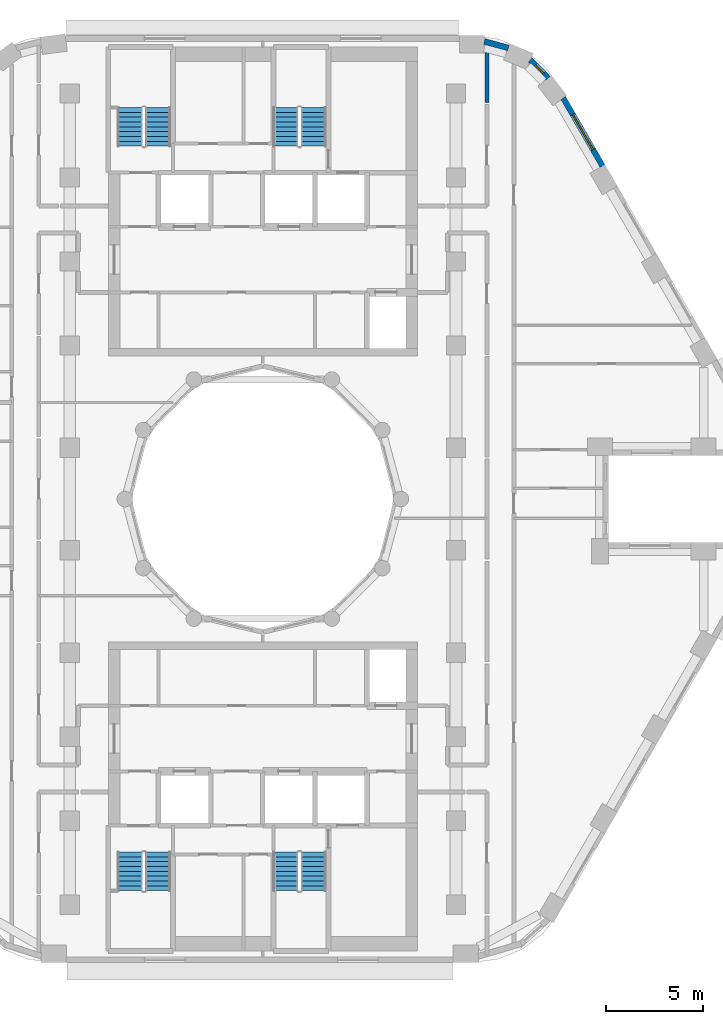
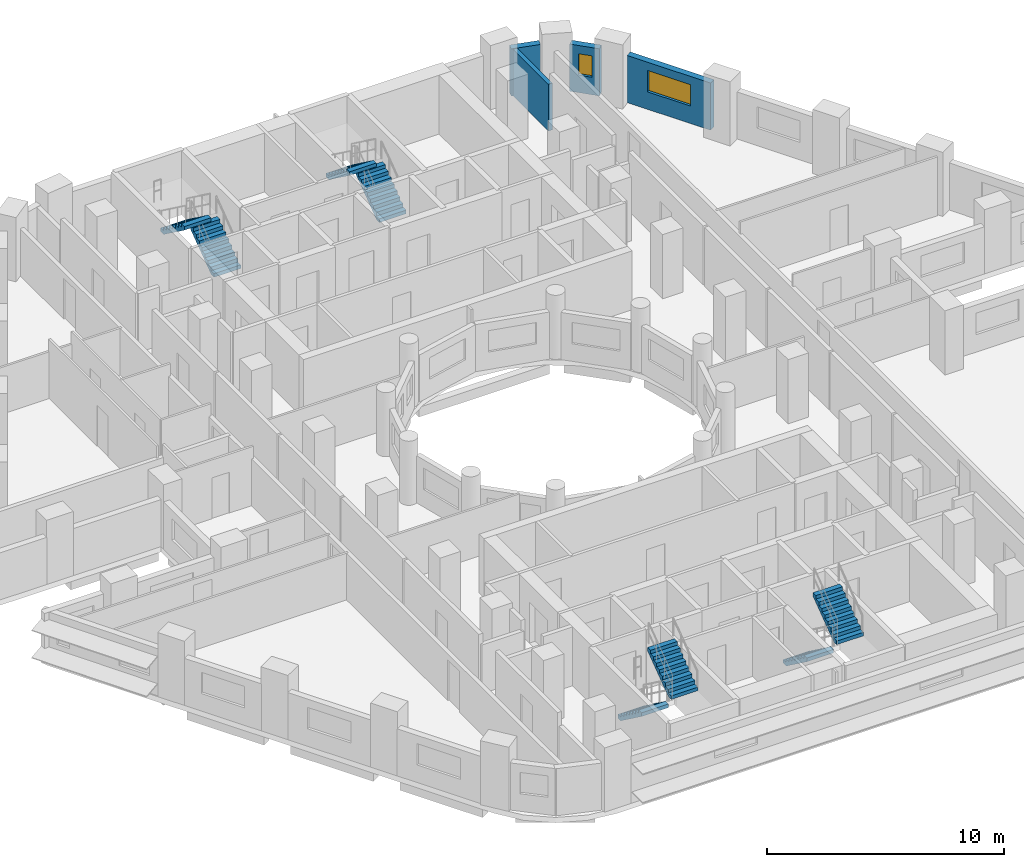
# One storey, part 9 of 13: 8 stair flights, 4 walls, 2 windows, 2 openings, 4 elements without a shape of their own.
"""IFC4 building model written with IfcOpenShell, lengths in metres."""

from ifc_helpers import new_model, si_unit, direction, frame, frame_2d, origin, place, context, subcontext, project, spatial, polyline, rectangle, outline, extrude, material, layer, layer_set, type_object, element, fill, aggregate, save


model = new_model("IFC4")

# Units and contexts
model_context = context("Model", 3, precision=1e-05, world=origin(), true_north=direction((0.0, 1.0)))
body_context = subcontext(model_context, "Body", "Model", "MODEL_VIEW")
ifc_project = project(units=[si_unit("LENGTHUNIT", "METRE"), si_unit("AREAUNIT", "SQUARE_METRE"), si_unit("VOLUMEUNIT", "CUBIC_METRE"), si_unit("PLANEANGLEUNIT", "RADIAN"), si_unit("MASSUNIT", "GRAM", prefix="KILO")], contexts=[model_context])

# Site, building, storey
site_placement = place(None, origin())
site = spatial("IfcSite", under=ifc_project, at=site_placement, CompositionType="ELEMENT")
building_placement = place(site_placement, origin())
building = spatial("IfcBuilding", under=site, at=building_placement, Name="Nakaniwa Court", CompositionType="ELEMENT")
storey_placement = place(building_placement, frame((0.0, 0.0, 156.89990234375)))
storey = spatial("IfcBuildingStorey", under=building, at=storey_placement, Name="L41", CompositionType="ELEMENT", Elevation=156.89990234375)

# Wall
ifc_material_1 = material(Name="Acoustic double stud partition")
ifc_layer_1 = layer(ifc_material_1, 0.199951171875)
ifc_layer_set_1 = layer_set([ifc_layer_1], Name="Acoustic double stud partition")
wall_type_1 = type_object("IfcWallType", Name="Acoustic double stud partition 200", PredefinedType="PARTITIONING", material=ifc_layer_set_1)
wall_1_placement = place(storey_placement, frame((91.60009765625, 100.537109375, 0.0), z_axis=(0.0, 0.0, 1.0), x_axis=(0.0, 1.0, 0.0)))
element("IfcWall", 1, at=wall_1_placement, inside=storey, type_object=wall_type_1, Name="Partition PW-075", PredefinedType="PARTITIONING", context=body_context, shape_type="SweptSolid", body=[
    extrude(rectangle(XDim=3.06201171875, YDim=0.199951171875, at=frame_2d((1.531005859375, 0.0))), origin(), (0.0, 0.0, 1.0), 2.405029296875),
])

# Wall, opening, window
ifc_material_2 = material(Name="Charcoal ceramic cladding")
ifc_layer_2 = layer(ifc_material_2, 0.02, Name="Ceramic cladding")
ifc_material_3 = material(Name="Ventilated air cavity")
ifc_layer_3 = layer(ifc_material_3, 0.04, ventilated=True, Name="Ventilated cavity")
ifc_material_4 = material(Name="Mineral wool insulation")
ifc_layer_4 = layer(ifc_material_4, 0.1, Name="Insulation")
ifc_material_5 = material(Name="Cement bonded sheathing board")
ifc_layer_5 = layer(ifc_material_5, 0.012, Name="Sheathing")
ifc_material_6 = material(Name="Cold-formed galvanised stud frame with mineral wool infill")
ifc_layer_6 = layer(ifc_material_6, 0.1, Name="Stud frame")
ifc_material_7 = material(Name="Fire-rated gypsum plasterboard lining")
ifc_layer_7 = layer(ifc_material_7, 0.028, Name="Lining")
ifc_layer_set_2 = layer_set([ifc_layer_2, ifc_layer_3, ifc_layer_4, ifc_layer_5, ifc_layer_6, ifc_layer_7], Name="Charcoal ceramic faced external wall system")
wall_type_2 = type_object("IfcWallType", Name="Black ceramic faced external wall 300", PredefinedType="SOLIDWALL", material=ifc_layer_set_2)
wall_2_placement = place(storey_placement, frame((97.582275390625, 97.24658203125, 0.0), z_axis=(0.0, 0.0, 1.0), x_axis=(-0.500018589245, 0.866014671013, 0.0)))
wall_2 = element("IfcWall", 2, at=wall_2_placement, inside=storey, type_object=wall_type_2, Name="L41 external wall 05", PredefinedType="SOLIDWALL", context=body_context, shape_type="SweptSolid", body=[
    extrude(rectangle(XDim=4.067626953125, YDim=0.300048828125, at=frame_2d((2.03369140625, 0.0))), origin(), (0.0, 0.0, 1.0), 2.425048828125),
])
opening_1_placement = place(wall_2_placement, frame((0.97265625, 0.0, 0.89990234375)))
opening_1 = element("IfcOpeningElement", 3, at=opening_1_placement, cuts=wall_2, Name="Opening W7.06", PredefinedType="OPENING", context=body_context, shape_type="SweptSolid", body=[
    extrude(rectangle(XDim=2.10009765625, YDim=1.10009765625, at=frame_2d((1.050048828125, 0.550048828125))), frame((0.0, 0.159912109375, 0.0), z_axis=(0.0, -1.0, 0.0), x_axis=(1.0, 0.0, 0.0)), (0.0, 0.0, 1.0), 0.320068359375),
])
ifc_material_8 = material(Name="Black anodised aluminium frame with dark low-E laminated double glazing", Category="aluminium")
window_type_1 = type_object("IfcWindowType", Name="Dark glass window 2100x1100 sill 900", PartitioningType="SINGLE_PANEL", PredefinedType="WINDOW", material=ifc_material_8)
window_1_placement = place(opening_1_placement, origin())
window_1 = element("IfcWindow", 4, at=window_1_placement, inside=storey, type_object=window_type_1, Name="L41 habitable room window 05-0", OverallHeight=1.10009765625, OverallWidth=2.10009765625, PartitioningType="SINGLE_PANEL", PredefinedType="WINDOW", context=body_context, shape_type="SweptSolid", body=[
    extrude(rectangle(XDim=2.10009765625, YDim=1.10009765625, at=frame_2d((1.050048828125, 0.550048828125))), frame((0.0, 0.030029296875, 0.0), z_axis=(0.0, -1.0, 0.0), x_axis=(1.0, 0.0, 0.0)), (0.0, 0.0, 1.0), 0.06005859375),
])
fill(opening_1, window_1)

wall_3_placement = place(storey_placement, frame((94.76318359375, 101.79541015625, 0.0), z_axis=(0.0, 0.0, 1.0), x_axis=(-0.697598997785, 0.716488407645, 0.0)))
wall_3 = element("IfcWall", 5, at=wall_3_placement, inside=storey, type_object=wall_type_2, Name="L41 external wall 06", PredefinedType="SOLIDWALL", context=body_context, shape_type="SweptSolid", body=[
    extrude(rectangle(XDim=1.305419921875, YDim=0.300048828125, at=frame_2d((0.65283203125, 0.0))), origin(), (0.0, 0.0, 1.0), 2.425048828125),
])
opening_2_placement = place(wall_3_placement, frame((0.328125, 0.0, 0.89990234375)))
opening_2 = element("IfcOpeningElement", 6, at=opening_2_placement, cuts=wall_3, Name="Opening W8.07", PredefinedType="OPENING", context=body_context, shape_type="SweptSolid", body=[
    extrude(rectangle(XDim=0.60009765625, YDim=1.10009765625, at=frame_2d((0.300048828125, 0.550048828125))), frame((0.0, 0.159912109375, 0.0), z_axis=(0.0, -1.0, 0.0), x_axis=(1.0, 0.0, 0.0)), (0.0, 0.0, 1.0), 0.320068359375),
])
window_type_2 = type_object("IfcWindowType", Name="Dark glass window 600x1100 sill 900", PartitioningType="SINGLE_PANEL", PredefinedType="WINDOW", material=ifc_material_8)
window_2_placement = place(opening_2_placement, origin())
window_2 = element("IfcWindow", 7, at=window_2_placement, inside=storey, type_object=window_type_2, Name="L41 habitable room window 06-0", OverallHeight=1.10009765625, OverallWidth=0.60009765625, PartitioningType="SINGLE_PANEL", PredefinedType="WINDOW", context=body_context, shape_type="SweptSolid", body=[
    extrude(rectangle(XDim=0.60009765625, YDim=1.10009765625, at=frame_2d((0.300048828125, 0.550048828125))), frame((0.0, 0.030029296875, 0.0), z_axis=(0.0, -1.0, 0.0), x_axis=(1.0, 0.0, 0.0)), (0.0, 0.0, 1.0), 0.06005859375),
])
fill(opening_2, window_2)

# Wall
wall_4_placement = place(storey_placement, frame((92.712890625, 103.3564453125, 0.0), z_axis=(0.0, 0.0, 1.0), x_axis=(-0.965274225809, 0.26123872031, 0.0)))
element("IfcWall", 8, at=wall_4_placement, inside=storey, type_object=wall_type_2, Name="L41 external wall 07", PredefinedType="SOLIDWALL", context=body_context, shape_type="SweptSolid", body=[
    extrude(rectangle(XDim=1.286865234375, YDim=0.300048828125, at=frame_2d((0.6435546875, 0.0))), origin(), (0.0, 0.0, 1.0), 2.425048828125),
])

# Stair, stair flights
ifc_material_9 = material(Name="Concrete C80/100", Category="concrete")
stair_type = type_object("IfcStairType", Name="Dog leg stair 1300 wide 18 risers", PredefinedType="HALF_TURN_STAIR", material=ifc_material_9)
stair_1_placement = place(storey_placement, origin())
stair_1 = element("IfcStair", 9, at=stair_1_placement, inside=storey, type_object=stair_type, Name="L41 Stair ST1", PredefinedType="HALF_TURN_STAIR")
stair_flight_type = type_object("IfcStairFlightType", Name="Stair flight 1300 wide 9 risers", PredefinedType="STRAIGHT", material=ifc_material_9)
stair_flight_1_placement = place(storey_placement, frame((74.574951171875, 98.27490234375, 0.0), z_axis=(0.0, 0.0, 1.0), x_axis=(0.0, 1.0, 0.0)))
stair_flight_1 = element("IfcStairFlight", 10, at=stair_flight_1_placement, type_object=stair_flight_type, Name="ST1 flight 1", NumberOfRisers=9, NumberOfTreads=8, PredefinedType="STRAIGHT", RiserHeight=0.183333333, TreadLength=0.25, context=body_context, shape_type="SweptSolid", body=[
    extrude(outline(polyline([(0.0, 0.0), (0.0, 0.026123046875), (0.0, 0.052490234375), (0.0, 0.07861328125), (0.0, 0.104736328125), (0.0, 0.130859375), (0.0, 0.1572265625), (0.0, 0.183349609375), (0.25, 0.183349609375), (0.25, 0.36669921875), (0.5, 0.36669921875), (0.5, 0.550048828125), (0.75, 0.550048828125), (0.75, 0.7333984375), (1.0, 0.7333984375), (1.0, 0.916748046875), (1.25, 0.916748046875), (1.25, 1.10009765625), (1.5, 1.10009765625), (1.5, 1.283447265625), (1.75, 1.283447265625), (1.75, 1.466552734375), (2.0, 1.466552734375), (2.0, 1.64990234375), (2.0, 1.59716796875), (2.0, 1.54443359375), (2.0, 1.49169921875), (2.0, 1.43896484375), (2.0, 1.38623046875), (2.0, 1.33349609375), (2.0, 1.28076171875), (0.25341796875, 0.0), (0.0, 0.0)])), frame((0.0, 0.64990234375, 0.0), z_axis=(0.0, -1.0, 0.0), x_axis=(1.0, 0.0, 0.0)), (0.0, 0.0, 1.0), 1.300048828125),
])
stair_flight_2_placement = place(storey_placement, frame((73.125, 100.27490234375, 1.650146484375), z_axis=(0.0, 0.0, 1.0), x_axis=(0.0, -1.0, 0.0)))
stair_flight_2 = element("IfcStairFlight", 11, at=stair_flight_2_placement, type_object=stair_flight_type, Name="ST1 flight 2", NumberOfRisers=9, NumberOfTreads=8, PredefinedType="STRAIGHT", RiserHeight=0.183333333, TreadLength=0.25, context=body_context, shape_type="SweptSolid", body=[
    extrude(outline(polyline([(0.0, 0.0), (0.0, 0.026123046875), (0.0, 0.052490234375), (0.0, 0.07861328125), (0.0, 0.104736328125), (0.0, 0.130859375), (0.0, 0.1572265625), (0.0, 0.183349609375), (0.25, 0.183349609375), (0.25, 0.36669921875), (0.5, 0.36669921875), (0.5, 0.550048828125), (0.75, 0.550048828125), (0.75, 0.7333984375), (1.0, 0.7333984375), (1.0, 0.916748046875), (1.25, 0.916748046875), (1.25, 1.10009765625), (1.5, 1.10009765625), (1.5, 1.283447265625), (1.75, 1.283447265625), (1.75, 1.466552734375), (2.0, 1.466552734375), (2.0, 1.64990234375), (2.0, 1.59716796875), (2.0, 1.54443359375), (2.0, 1.49169921875), (2.0, 1.43896484375), (2.0, 1.38623046875), (2.0, 1.33349609375), (2.0, 1.28076171875), (0.25341796875, 0.0), (0.0, 0.0)])), frame((0.0, 0.64990234375, 0.0), z_axis=(0.0, -1.0, 0.0), x_axis=(1.0, 0.0, 0.0)), (0.0, 0.0, 1.0), 1.300048828125),
])
aggregate(stair_1, [stair_flight_1, stair_flight_2])

stair_2_placement = place(storey_placement, origin())
stair_2 = element("IfcStair", 12, at=stair_2_placement, inside=storey, type_object=stair_type, Name="L41 Stair ST2", PredefinedType="HALF_TURN_STAIR")
stair_flight_3_placement = place(storey_placement, frame((82.625, 98.27490234375, 0.0), z_axis=(0.0, 0.0, 1.0), x_axis=(0.0, 1.0, 0.0)))
stair_flight_3 = element("IfcStairFlight", 13, at=stair_flight_3_placement, type_object=stair_flight_type, Name="ST2 flight 1", NumberOfRisers=9, NumberOfTreads=8, PredefinedType="STRAIGHT", RiserHeight=0.183333333, TreadLength=0.25, context=body_context, shape_type="SweptSolid", body=[
    extrude(outline(polyline([(0.0, 0.0), (0.0, 0.026123046875), (0.0, 0.052490234375), (0.0, 0.07861328125), (0.0, 0.104736328125), (0.0, 0.130859375), (0.0, 0.1572265625), (0.0, 0.183349609375), (0.25, 0.183349609375), (0.25, 0.36669921875), (0.5, 0.36669921875), (0.5, 0.550048828125), (0.75, 0.550048828125), (0.75, 0.7333984375), (1.0, 0.7333984375), (1.0, 0.916748046875), (1.25, 0.916748046875), (1.25, 1.10009765625), (1.5, 1.10009765625), (1.5, 1.283447265625), (1.75, 1.283447265625), (1.75, 1.466552734375), (2.0, 1.466552734375), (2.0, 1.64990234375), (2.0, 1.59716796875), (2.0, 1.54443359375), (2.0, 1.49169921875), (2.0, 1.43896484375), (2.0, 1.38623046875), (2.0, 1.33349609375), (2.0, 1.28076171875), (0.25341796875, 0.0), (0.0, 0.0)])), frame((0.0, 0.64990234375, 0.0), z_axis=(0.0, -1.0, 0.0), x_axis=(1.0, 0.0, 0.0)), (0.0, 0.0, 1.0), 1.300048828125),
])
stair_flight_4_placement = place(storey_placement, frame((81.175048828125, 100.27490234375, 1.650146484375), z_axis=(0.0, 0.0, 1.0), x_axis=(0.0, -1.0, 0.0)))
stair_flight_4 = element("IfcStairFlight", 14, at=stair_flight_4_placement, type_object=stair_flight_type, Name="ST2 flight 2", NumberOfRisers=9, NumberOfTreads=8, PredefinedType="STRAIGHT", RiserHeight=0.183333333, TreadLength=0.25, context=body_context, shape_type="SweptSolid", body=[
    extrude(outline(polyline([(0.0, 0.0), (0.0, 0.026123046875), (0.0, 0.052490234375), (0.0, 0.07861328125), (0.0, 0.104736328125), (0.0, 0.130859375), (0.0, 0.1572265625), (0.0, 0.183349609375), (0.25, 0.183349609375), (0.25, 0.36669921875), (0.5, 0.36669921875), (0.5, 0.550048828125), (0.75, 0.550048828125), (0.75, 0.7333984375), (1.0, 0.7333984375), (1.0, 0.916748046875), (1.25, 0.916748046875), (1.25, 1.10009765625), (1.5, 1.10009765625), (1.5, 1.283447265625), (1.75, 1.283447265625), (1.75, 1.466552734375), (2.0, 1.466552734375), (2.0, 1.64990234375), (2.0, 1.59716796875), (2.0, 1.54443359375), (2.0, 1.49169921875), (2.0, 1.43896484375), (2.0, 1.38623046875), (2.0, 1.33349609375), (2.0, 1.28076171875), (0.25341796875, 0.0), (0.0, 0.0)])), frame((0.0, 0.64990234375, 0.0), z_axis=(0.0, -1.0, 0.0), x_axis=(1.0, 0.0, 0.0)), (0.0, 0.0, 1.0), 1.300048828125),
])
aggregate(stair_2, [stair_flight_3, stair_flight_4])

stair_3_placement = place(storey_placement, origin())
stair_3 = element("IfcStair", 15, at=stair_3_placement, inside=storey, type_object=stair_type, Name="L41 Stair ST3", PredefinedType="HALF_TURN_STAIR")
stair_flight_5_placement = place(storey_placement, frame((73.125, 61.72509765625, 0.0), z_axis=(0.0, 0.0, 1.0), x_axis=(0.0, -1.0, 0.0)))
stair_flight_5 = element("IfcStairFlight", 16, at=stair_flight_5_placement, type_object=stair_flight_type, Name="ST3 flight 1", NumberOfRisers=9, NumberOfTreads=8, PredefinedType="STRAIGHT", RiserHeight=0.183333333, TreadLength=0.25, context=body_context, shape_type="SweptSolid", body=[
    extrude(outline(polyline([(0.0, 0.0), (0.0, 0.026123046875), (0.0, 0.052490234375), (0.0, 0.07861328125), (0.0, 0.104736328125), (0.0, 0.130859375), (0.0, 0.1572265625), (0.0, 0.183349609375), (0.25, 0.183349609375), (0.25, 0.36669921875), (0.5, 0.36669921875), (0.5, 0.550048828125), (0.75, 0.550048828125), (0.75, 0.7333984375), (1.0, 0.7333984375), (1.0, 0.916748046875), (1.25, 0.916748046875), (1.25, 1.10009765625), (1.5, 1.10009765625), (1.5, 1.283447265625), (1.75, 1.283447265625), (1.75, 1.466552734375), (2.0, 1.466552734375), (2.0, 1.64990234375), (2.0, 1.59716796875), (2.0, 1.54443359375), (2.0, 1.49169921875), (2.0, 1.43896484375), (2.0, 1.38623046875), (2.0, 1.33349609375), (2.0, 1.28076171875), (0.25341796875, 0.0), (0.0, 0.0)])), frame((0.0, 0.64990234375, 0.0), z_axis=(0.0, -1.0, 0.0), x_axis=(1.0, 0.0, 0.0)), (0.0, 0.0, 1.0), 1.300048828125),
])
stair_flight_6_placement = place(storey_placement, frame((74.574951171875, 59.72509765625, 1.650146484375), z_axis=(0.0, 0.0, 1.0), x_axis=(0.0, 1.0, 0.0)))
stair_flight_6 = element("IfcStairFlight", 17, at=stair_flight_6_placement, type_object=stair_flight_type, Name="ST3 flight 2", NumberOfRisers=9, NumberOfTreads=8, PredefinedType="STRAIGHT", RiserHeight=0.183333333, TreadLength=0.25, context=body_context, shape_type="SweptSolid", body=[
    extrude(outline(polyline([(0.0, 0.0), (0.0, 0.026123046875), (0.0, 0.052490234375), (0.0, 0.07861328125), (0.0, 0.104736328125), (0.0, 0.130859375), (0.0, 0.1572265625), (0.0, 0.183349609375), (0.25, 0.183349609375), (0.25, 0.36669921875), (0.5, 0.36669921875), (0.5, 0.550048828125), (0.75, 0.550048828125), (0.75, 0.7333984375), (1.0, 0.7333984375), (1.0, 0.916748046875), (1.25, 0.916748046875), (1.25, 1.10009765625), (1.5, 1.10009765625), (1.5, 1.283447265625), (1.75, 1.283447265625), (1.75, 1.466552734375), (2.0, 1.466552734375), (2.0, 1.64990234375), (2.0, 1.59716796875), (2.0, 1.54443359375), (2.0, 1.49169921875), (2.0, 1.43896484375), (2.0, 1.38623046875), (2.0, 1.33349609375), (2.0, 1.28076171875), (0.25341796875, 0.0), (0.0, 0.0)])), frame((0.0, 0.64990234375, 0.0), z_axis=(0.0, -1.0, 0.0), x_axis=(1.0, 0.0, 0.0)), (0.0, 0.0, 1.0), 1.300048828125),
])
aggregate(stair_3, [stair_flight_5, stair_flight_6])

stair_4_placement = place(storey_placement, origin())
stair_4 = element("IfcStair", 18, at=stair_4_placement, inside=storey, type_object=stair_type, Name="L41 Stair ST4", PredefinedType="HALF_TURN_STAIR")
stair_flight_7_placement = place(storey_placement, frame((81.175048828125, 61.72509765625, 0.0), z_axis=(0.0, 0.0, 1.0), x_axis=(0.0, -1.0, 0.0)))
stair_flight_7 = element("IfcStairFlight", 19, at=stair_flight_7_placement, type_object=stair_flight_type, Name="ST4 flight 1", NumberOfRisers=9, NumberOfTreads=8, PredefinedType="STRAIGHT", RiserHeight=0.183333333, TreadLength=0.25, context=body_context, shape_type="SweptSolid", body=[
    extrude(outline(polyline([(0.0, 0.0), (0.0, 0.026123046875), (0.0, 0.052490234375), (0.0, 0.07861328125), (0.0, 0.104736328125), (0.0, 0.130859375), (0.0, 0.1572265625), (0.0, 0.183349609375), (0.25, 0.183349609375), (0.25, 0.36669921875), (0.5, 0.36669921875), (0.5, 0.550048828125), (0.75, 0.550048828125), (0.75, 0.7333984375), (1.0, 0.7333984375), (1.0, 0.916748046875), (1.25, 0.916748046875), (1.25, 1.10009765625), (1.5, 1.10009765625), (1.5, 1.283447265625), (1.75, 1.283447265625), (1.75, 1.466552734375), (2.0, 1.466552734375), (2.0, 1.64990234375), (2.0, 1.59716796875), (2.0, 1.54443359375), (2.0, 1.49169921875), (2.0, 1.43896484375), (2.0, 1.38623046875), (2.0, 1.33349609375), (2.0, 1.28076171875), (0.25341796875, 0.0), (0.0, 0.0)])), frame((0.0, 0.64990234375, 0.0), z_axis=(0.0, -1.0, 0.0), x_axis=(1.0, 0.0, 0.0)), (0.0, 0.0, 1.0), 1.300048828125),
])
stair_flight_8_placement = place(storey_placement, frame((82.625, 59.72509765625, 1.650146484375), z_axis=(0.0, 0.0, 1.0), x_axis=(0.0, 1.0, 0.0)))
stair_flight_8 = element("IfcStairFlight", 20, at=stair_flight_8_placement, type_object=stair_flight_type, Name="ST4 flight 2", NumberOfRisers=9, NumberOfTreads=8, PredefinedType="STRAIGHT", RiserHeight=0.183333333, TreadLength=0.25, context=body_context, shape_type="SweptSolid", body=[
    extrude(outline(polyline([(0.0, 0.0), (0.0, 0.026123046875), (0.0, 0.052490234375), (0.0, 0.07861328125), (0.0, 0.104736328125), (0.0, 0.130859375), (0.0, 0.1572265625), (0.0, 0.183349609375), (0.25, 0.183349609375), (0.25, 0.36669921875), (0.5, 0.36669921875), (0.5, 0.550048828125), (0.75, 0.550048828125), (0.75, 0.7333984375), (1.0, 0.7333984375), (1.0, 0.916748046875), (1.25, 0.916748046875), (1.25, 1.10009765625), (1.5, 1.10009765625), (1.5, 1.283447265625), (1.75, 1.283447265625), (1.75, 1.466552734375), (2.0, 1.466552734375), (2.0, 1.64990234375), (2.0, 1.59716796875), (2.0, 1.54443359375), (2.0, 1.49169921875), (2.0, 1.43896484375), (2.0, 1.38623046875), (2.0, 1.33349609375), (2.0, 1.28076171875), (0.25341796875, 0.0), (0.0, 0.0)])), frame((0.0, 0.64990234375, 0.0), z_axis=(0.0, -1.0, 0.0), x_axis=(1.0, 0.0, 0.0)), (0.0, 0.0, 1.0), 1.300048828125),
])
aggregate(stair_4, [stair_flight_7, stair_flight_8])

save(model, "model.ifc")
